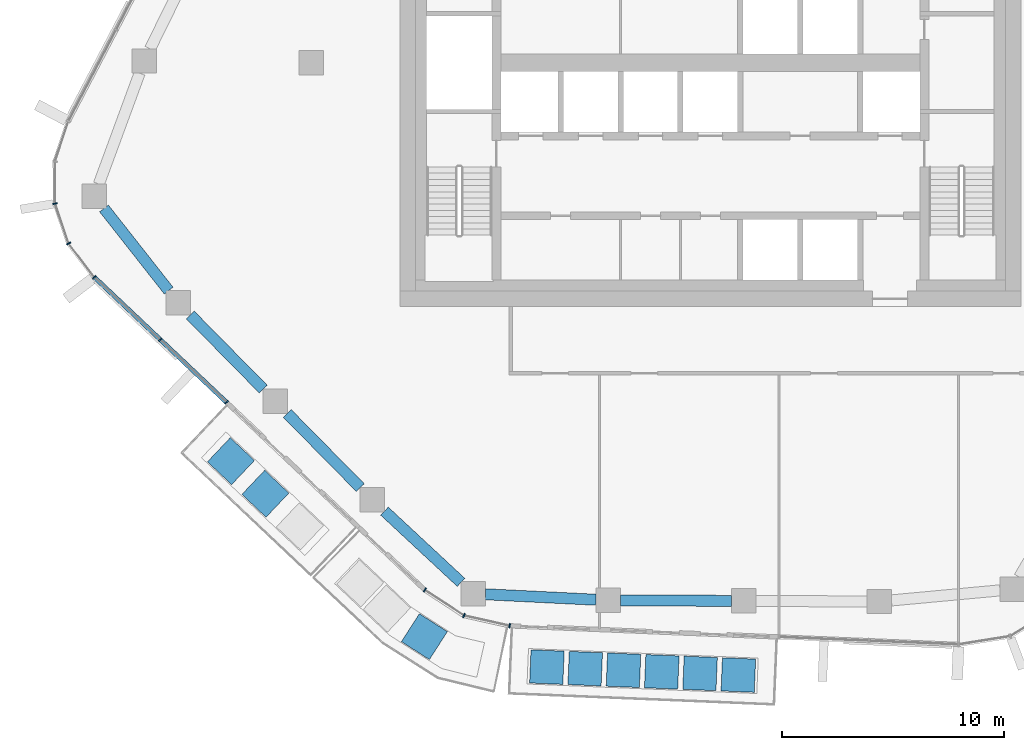
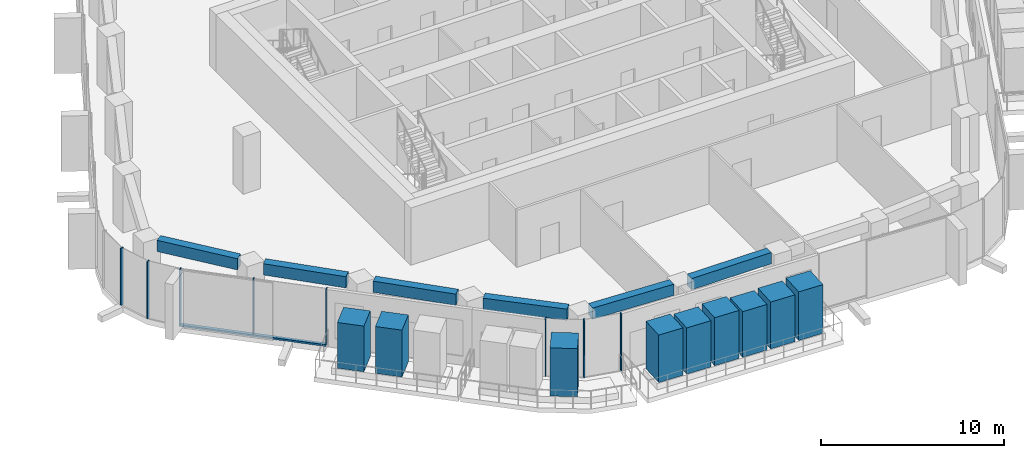
# One storey, part 2 of 20: 18 members, 6 beams, 3 elements without a shape of their own.
"""IFC4 building model written with IfcOpenShell, lengths in metres."""

from ifc_helpers import new_model, si_unit, direction, frame, origin, origin_2d, place, context, subcontext, project, spatial, rectangle, extrude, material, layer, layer_set, material_profile, profile_set, type_object, element, aggregate, save


model = new_model("IFC4")

# Units and contexts
model_context = context("Model", 3, precision=1e-05, world=origin(), true_north=direction((0.0, 1.0)))
body_context = subcontext(model_context, "Body", "Model", "MODEL_VIEW")
ifc_project = project(units=[si_unit("LENGTHUNIT", "METRE"), si_unit("AREAUNIT", "SQUARE_METRE"), si_unit("VOLUMEUNIT", "CUBIC_METRE"), si_unit("PLANEANGLEUNIT", "RADIAN"), si_unit("MASSUNIT", "GRAM", prefix="KILO")], contexts=[model_context])

# Site, building, storey
site_placement = place(None, origin())
site = spatial("IfcSite", under=ifc_project, at=site_placement, CompositionType="ELEMENT")
building_placement = place(site_placement, origin())
building = spatial("IfcBuilding", under=site, at=building_placement, Name="Dongbaek Canopy Tower", CompositionType="ELEMENT")
storey_placement = place(building_placement, frame((0.0, 0.0, 245.39990234375)))
storey = spatial("IfcBuildingStorey", under=building, at=storey_placement, Name="L51", CompositionType="ELEMENT", Elevation=245.39990234375)

# Curtain wall, members
ifc_material_1 = material(Name="Aluminium 6063-T6 pale anodised", Category="aluminium")
ifc_layer = layer(ifc_material_1, 0.199951171875)
ifc_layer_set = layer_set([ifc_layer], Name="CW-1 unitised tower curtain wall")
curtain_wall_type = type_object("IfcCurtainWallType", Name="CW-1 unitised tower curtain wall", PredefinedType="NOTDEFINED", material=ifc_layer_set)
curtain_wall_1_placement = place(storey_placement, origin())
curtain_wall_1 = element("IfcCurtainWall", 1, at=curtain_wall_1_placement, inside=storey, type_object=curtain_wall_type, Name="CW-1 curtain wall K3.1", PredefinedType="NOTDEFINED")
ifc_material_2 = material(Name="Aluminium 6063-T6 pale anodised", Category="aluminium")
ifc_material_profile_1 = material_profile(ifc_material_2, rectangle(XDim=0.199951171875, YDim=0.06005859375, at=origin_2d()), Name="CW-1 mullion 60 x 200")
ifc_profile_set_1 = profile_set([ifc_material_profile_1], Name="Aluminium 6063-T6 pale anodised")
member_type_1 = type_object("IfcMemberType", Name="CW-1 mullion 60 x 200", PredefinedType="MULLION", material=ifc_profile_set_1)
member_1_placement = place(storey_placement, frame((-29.55322265625, -6.354736328125, 0.0), z_axis=(0.0, 0.0, 1.0), x_axis=(-0.986343087867, -0.164703712824, 0.0)))
member_1 = element("IfcMember", 2, at=member_1_placement, type_object=member_type_1, Name="CW-1 mullion K3.1.3", PredefinedType="MULLION", context=body_context, shape_type="SweptSolid", body=[
    extrude(rectangle(XDim=0.199951171875, YDim=0.06005859375, at=origin_2d()), origin(), (0.0, 0.0, 1.0), 3.820068359375),
])
member_2_placement = place(storey_placement, frame((-28.94189453125, -8.1552734375, 0.0), z_axis=(0.0, 0.0, 1.0), x_axis=(-0.88268987237, -0.469955943908, 0.0)))
member_2 = element("IfcMember", 3, at=member_2_placement, type_object=member_type_1, Name="CW-1 mullion K3.1.4", PredefinedType="MULLION", context=body_context, shape_type="SweptSolid", body=[
    extrude(rectangle(XDim=0.199951171875, YDim=0.06005859375, at=origin_2d()), origin(), (0.0, 0.0, 1.0), 3.820068359375),
])
member_3_placement = place(storey_placement, frame((-27.784423828125, -9.67431640625, 0.0), z_axis=(0.0, 0.0, 1.0), x_axis=(-0.795397919328, -0.606087576122, 0.0)))
member_3 = element("IfcMember", 4, at=member_3_placement, type_object=member_type_1, Name="CW-1 mullion K3.1.5", PredefinedType="MULLION", context=body_context, shape_type="SweptSolid", body=[
    extrude(rectangle(XDim=0.199951171875, YDim=0.06005859375, at=origin_2d()), origin(), (0.0, 0.0, 1.0), 3.820068359375),
])
aggregate(curtain_wall_1, [member_1, member_2, member_3])

curtain_wall_2_placement = place(storey_placement, origin())
curtain_wall_2 = element("IfcCurtainWall", 5, at=curtain_wall_2_placement, inside=storey, type_object=curtain_wall_type, Name="CW-1 curtain wall F3.1", PredefinedType="NOTDEFINED")
member_4_placement = place(storey_placement, frame((-24.806640625, -12.491943359375, 0.1201171875), z_axis=(0.0, 0.0, 1.0), x_axis=(-0.687304953463, -0.72636898402, 0.0)))
member_4 = element("IfcMember", 6, at=member_4_placement, type_object=member_type_1, Name="CW-1 mullion F3.1.2", PredefinedType="MULLION", context=body_context, shape_type="SweptSolid", body=[
    extrude(rectangle(XDim=0.199951171875, YDim=0.06005859375, at=origin_2d()), origin(), (0.0, 0.0, 1.0), 3.699951171875),
])
member_5_placement = place(storey_placement, frame((-21.822998046875, -15.315185546875, 0.1201171875), z_axis=(0.0, 0.0, 1.0), x_axis=(-0.687304953463, -0.72636898402, 0.0)))
member_5 = element("IfcMember", 7, at=member_5_placement, type_object=member_type_1, Name="CW-1 mullion F3.1.3", PredefinedType="MULLION", context=body_context, shape_type="SweptSolid", body=[
    extrude(rectangle(XDim=0.199951171875, YDim=0.06005859375, at=origin_2d()), origin(), (0.0, 0.0, 1.0), 3.699951171875),
])

curtain_wall_3_placement = place(storey_placement, origin())
curtain_wall_3 = element("IfcCurtainWall", 8, at=curtain_wall_3_placement, inside=storey, type_object=curtain_wall_type, Name="CW-1 curtain wall K4.1", PredefinedType="NOTDEFINED")
member_6_placement = place(storey_placement, frame((-12.87841796875, -23.77880859375, 0.0), z_axis=(0.0, 0.0, 1.0), x_axis=(-0.546938133338, -0.837173027696, 0.0)))
member_6 = element("IfcMember", 9, at=member_6_placement, type_object=member_type_1, Name="CW-1 mullion K4.1.1", PredefinedType="MULLION", context=body_context, shape_type="SweptSolid", body=[
    extrude(rectangle(XDim=0.199951171875, YDim=0.06005859375, at=origin_2d()), origin(), (0.0, 0.0, 1.0), 3.820068359375),
])
member_7_placement = place(storey_placement, frame((-11.111572265625, -24.93310546875, 0.0), z_axis=(0.0, 0.0, 1.0), x_axis=(-0.389080023715, -0.92120395958, 0.0)))
member_7 = element("IfcMember", 10, at=member_7_placement, type_object=member_type_1, Name="CW-1 mullion K4.1.2", PredefinedType="MULLION", context=body_context, shape_type="SweptSolid", body=[
    extrude(rectangle(XDim=0.199951171875, YDim=0.06005859375, at=origin_2d()), origin(), (0.0, 0.0, 1.0), 3.820068359375),
])
member_8_placement = place(storey_placement, frame((-9.052490234375, -25.394775390625, 0.0), z_axis=(0.0, 0.0, 1.0), x_axis=(-0.218778986972, -0.975774438515, 0.0)))
member_8 = element("IfcMember", 11, at=member_8_placement, type_object=member_type_1, Name="CW-1 mullion K4.1.3", PredefinedType="MULLION", context=body_context, shape_type="SweptSolid", body=[
    extrude(rectangle(XDim=0.199951171875, YDim=0.06005859375, at=origin_2d()), origin(), (0.0, 0.0, 1.0), 3.820068359375),
])
aggregate(curtain_wall_3, [member_6, member_7, member_8])

# Member
ifc_material_3 = material(Name="Aluminium 6063-T6 pale anodised", Category="aluminium")
ifc_material_profile_2 = material_profile(ifc_material_3, rectangle(XDim=0.199951171875, YDim=0.1201171875, at=origin_2d()), Name="CW-1 transom 120 x 200")
ifc_profile_set_2 = profile_set([ifc_material_profile_2], Name="Aluminium 6063-T6 pale anodised")
member_type_2 = type_object("IfcMemberType", Name="CW-1 transom 120 x 200", PredefinedType="USERDEFINED", material=ifc_profile_set_2)
member_9_placement = place(storey_placement, frame((-27.784423828125, -9.67431640625, 0.06005859375), z_axis=(0.726366059873, -0.687308043794, 0.0), x_axis=(0.687308043794, 0.726366059873, 0.0)))
member_9 = element("IfcMember", 12, at=member_9_placement, type_object=member_type_2, Name="CW-1 transom F3.1.1", ObjectType="TRANSOM", PredefinedType="USERDEFINED", context=body_context, shape_type="SweptSolid", body=[
    extrude(rectangle(XDim=0.199951171875, YDim=0.1201171875, at=origin_2d()), origin(), (0.0, 0.0, 1.0), 8.207275390625),
])

aggregate(curtain_wall_2, [member_4, member_5, member_9])

# Beams
ifc_material_4 = material(Name="Concrete C70", Category="concrete")
ifc_material_profile_3 = material_profile(ifc_material_4, rectangle(XDim=0.5, YDim=0.75, at=origin_2d()), Name="RC EDGE BEAM 500x750 C70")
ifc_profile_set_3 = profile_set([ifc_material_profile_3], Name="Concrete C70")
beam_type = type_object("IfcBeamType", Name="RC EDGE BEAM 500x750 C70", PredefinedType="BEAM", material=ifc_profile_set_3)
beam_1_placement = place(storey_placement, frame((0.951904296875, -24.269775390625, 3.445068359375), z_axis=(-0.999990816155, 0.0042857445, 0.0), x_axis=(-0.0042857445, -0.999990816155, 0.0)))
element("IfcBeam", 13, at=beam_1_placement, inside=storey, type_object=beam_type, Name="EDGEBEAM:L51:02", PredefinedType="BEAM", context=body_context, shape_type="SweptSolid", body=[
    extrude(rectangle(XDim=0.5, YDim=0.75, at=origin_2d()), origin(), (0.0, 0.0, 1.0), 5.012939453125),
])
beam_2_placement = place(storey_placement, frame((-5.160888671875, -24.218994140625, 3.445068359375), z_axis=(-0.998786614333, 0.049247325106, 0.0), x_axis=(-0.049247325106, -0.998786614333, 0.0)))
element("IfcBeam", 14, at=beam_2_placement, inside=storey, type_object=beam_type, Name="EDGEBEAM:L51:03", PredefinedType="BEAM", context=body_context, shape_type="SweptSolid", body=[
    extrude(rectangle(XDim=0.5, YDim=0.75, at=origin_2d()), origin(), (0.0, 0.0, 1.0), 4.9921875),
])
beam_3_placement = place(storey_placement, frame((-11.2470703125, -23.434326171875, 3.445068359375), z_axis=(-0.732241423494, 0.681045151014, 0.0), x_axis=(-0.681045151014, -0.732241423494, 0.0)))
element("IfcBeam", 15, at=beam_3_placement, inside=storey, type_object=beam_type, Name="EDGEBEAM:L51:04", PredefinedType="BEAM", context=body_context, shape_type="SweptSolid", body=[
    extrude(rectangle(XDim=0.5, YDim=0.75, at=origin_2d()), origin(), (0.0, 0.0, 1.0), 4.71142578125),
])
beam_4_placement = place(storey_placement, frame((-15.788818359375, -19.1640625, 3.445068359375), z_axis=(-0.701699383964, 0.712473139525, 0.0), x_axis=(-0.712473139525, -0.701699383964, 0.0)))
element("IfcBeam", 16, at=beam_4_placement, inside=storey, type_object=beam_type, Name="EDGEBEAM:L51:05", PredefinedType="BEAM", context=body_context, shape_type="SweptSolid", body=[
    extrude(rectangle(XDim=0.5, YDim=0.75, at=origin_2d()), origin(), (0.0, 0.0, 1.0), 4.690673828125),
])
beam_5_placement = place(storey_placement, frame((-20.16357421875, -14.721923828125, 3.445068359375), z_axis=(-0.701621732034, 0.712549608896, 0.0), x_axis=(-0.712549608896, -0.701621732034, 0.0)))
element("IfcBeam", 17, at=beam_5_placement, inside=storey, type_object=beam_type, Name="EDGEBEAM:L51:06", PredefinedType="BEAM", context=body_context, shape_type="SweptSolid", body=[
    extrude(rectangle(XDim=0.5, YDim=0.75, at=origin_2d()), origin(), (0.0, 0.0, 1.0), 4.691650390625),
])
beam_6_placement = place(storey_placement, frame((-24.429931640625, -10.279052734375, 3.445068359375), z_axis=(-0.618474671525, 0.785804734449, 0.0), x_axis=(-0.785804734449, -0.618474671525, 0.0)))
element("IfcBeam", 18, at=beam_6_placement, inside=storey, type_object=beam_type, Name="EDGEBEAM:L51:07", PredefinedType="BEAM", context=body_context, shape_type="SweptSolid", body=[
    extrude(rectangle(XDim=0.5, YDim=0.75, at=origin_2d()), origin(), (0.0, 0.0, 1.0), 4.719970703125),
])

# Members
ifc_material_5 = material(Name="Concrete C40/50 planter mass with planting", Category="concrete")
ifc_material_profile_4 = material_profile(ifc_material_5, rectangle(XDim=1.5, YDim=1.5, at=origin_2d()), Name="Terrace PLANTER shrub mass 1500 x 1500")
ifc_profile_set_4 = profile_set([ifc_material_profile_4], Name="Concrete C40/50 planter mass with planting")
member_type_3 = type_object("IfcMemberType", Name="Terrace PLANTER shrub mass 1500 x 1500", PredefinedType="USERDEFINED", material=ifc_profile_set_4)
member_10_placement = place(storey_placement, frame((-21.622802734375, -17.968994140625, 0.420166015625), z_axis=(0.0, 0.0, 1.0), x_axis=(-0.687304953463, -0.72636898402, 0.0)))
element("IfcMember", 19, at=member_10_placement, inside=storey, type_object=member_type_3, Name="Planter shrubs L51 3.1", ObjectType="PLANTER", PredefinedType="USERDEFINED", context=body_context, shape_type="SweptSolid", body=[
    extrude(rectangle(XDim=1.5, YDim=1.5, at=origin_2d()), origin(), (0.0, 0.0, 1.0), 3.050048828125),
])
member_11_placement = place(storey_placement, frame((-20.069580078125, -19.438720703125, 0.420166015625), z_axis=(0.0, 0.0, 1.0), x_axis=(-0.687304953463, -0.72636898402, 0.0)))
element("IfcMember", 20, at=member_11_placement, inside=storey, type_object=member_type_3, Name="Planter shrubs L51 3.2", ObjectType="PLANTER", PredefinedType="USERDEFINED", context=body_context, shape_type="SweptSolid", body=[
    extrude(rectangle(XDim=1.5, YDim=1.5, at=origin_2d()), origin(), (0.0, 0.0, 1.0), 3.1298828125),
])
member_12_placement = place(storey_placement, frame((-12.898193359375, -25.8837890625, 0.420166015625), z_axis=(0.0, 0.0, 1.0), x_axis=(-0.540373570245, -0.841425222216, 0.0)))
element("IfcMember", 21, at=member_12_placement, inside=storey, type_object=member_type_3, Name="Planter shrubs L51 8.3", ObjectType="PLANTER", PredefinedType="USERDEFINED", context=body_context, shape_type="SweptSolid", body=[
    extrude(rectangle(XDim=1.5, YDim=1.5, at=origin_2d()), origin(), (0.0, 0.0, 1.0), 3.2099609375),
])
member_13_placement = place(storey_placement, frame((-7.373046875, -27.256103515625, 0.420166015625), z_axis=(0.0, 0.0, 1.0), x_axis=(-0.041481315027, -0.999139279832, 0.0)))
element("IfcMember", 22, at=member_13_placement, inside=storey, type_object=member_type_3, Name="Planter shrubs L51 4.1", ObjectType="PLANTER", PredefinedType="USERDEFINED", context=body_context, shape_type="SweptSolid", body=[
    extrude(rectangle(XDim=1.5, YDim=1.5, at=origin_2d()), origin(), (0.0, 0.0, 1.0), 3.169921875),
])
member_14_placement = place(storey_placement, frame((-5.646240234375, -27.32763671875, 0.420166015625), z_axis=(0.0, 0.0, 1.0), x_axis=(-0.041481315027, -0.999139279832, 0.0)))
element("IfcMember", 23, at=member_14_placement, inside=storey, type_object=member_type_3, Name="Planter shrubs L51 4.2", ObjectType="PLANTER", PredefinedType="USERDEFINED", context=body_context, shape_type="SweptSolid", body=[
    extrude(rectangle(XDim=1.5, YDim=1.5, at=origin_2d()), origin(), (0.0, 0.0, 1.0), 3.08984375),
])
member_15_placement = place(storey_placement, frame((-3.91943359375, -27.3994140625, 0.420166015625), z_axis=(0.0, 0.0, 1.0), x_axis=(-0.041481315027, -0.999139279832, 0.0)))
element("IfcMember", 24, at=member_15_placement, inside=storey, type_object=member_type_3, Name="Planter shrubs L51 4.3", ObjectType="PLANTER", PredefinedType="USERDEFINED", context=body_context, shape_type="SweptSolid", body=[
    extrude(rectangle(XDim=1.5, YDim=1.5, at=origin_2d()), origin(), (0.0, 0.0, 1.0), 3.2099609375),
])
member_16_placement = place(storey_placement, frame((-2.192626953125, -27.47119140625, 0.420166015625), z_axis=(0.0, 0.0, 1.0), x_axis=(-0.041481315027, -0.999139279832, 0.0)))
element("IfcMember", 25, at=member_16_placement, inside=storey, type_object=member_type_3, Name="Planter shrubs L51 4.4", ObjectType="PLANTER", PredefinedType="USERDEFINED", context=body_context, shape_type="SweptSolid", body=[
    extrude(rectangle(XDim=1.5, YDim=1.5, at=origin_2d()), origin(), (0.0, 0.0, 1.0), 3.050048828125),
])
member_17_placement = place(storey_placement, frame((-0.4658203125, -27.542724609375, 0.420166015625), z_axis=(0.0, 0.0, 1.0), x_axis=(-0.041481315027, -0.999139279832, 0.0)))
element("IfcMember", 26, at=member_17_placement, inside=storey, type_object=member_type_3, Name="Planter shrubs L51 4.5", ObjectType="PLANTER", PredefinedType="USERDEFINED", context=body_context, shape_type="SweptSolid", body=[
    extrude(rectangle(XDim=1.5, YDim=1.5, at=origin_2d()), origin(), (0.0, 0.0, 1.0), 3.1298828125),
])
member_18_placement = place(storey_placement, frame((1.260986328125, -27.614501953125, 0.420166015625), z_axis=(0.0, 0.0, 1.0), x_axis=(-0.041481315027, -0.999139279832, 0.0)))
element("IfcMember", 27, at=member_18_placement, inside=storey, type_object=member_type_3, Name="Planter shrubs L51 4.6", ObjectType="PLANTER", PredefinedType="USERDEFINED", context=body_context, shape_type="SweptSolid", body=[
    extrude(rectangle(XDim=1.5, YDim=1.5, at=origin_2d()), origin(), (0.0, 0.0, 1.0), 3.25),
])

save(model, "model.ifc")
